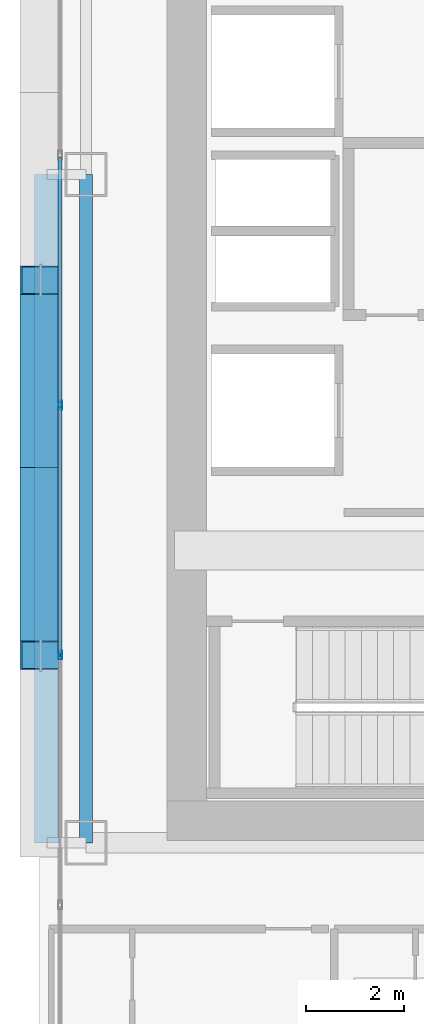
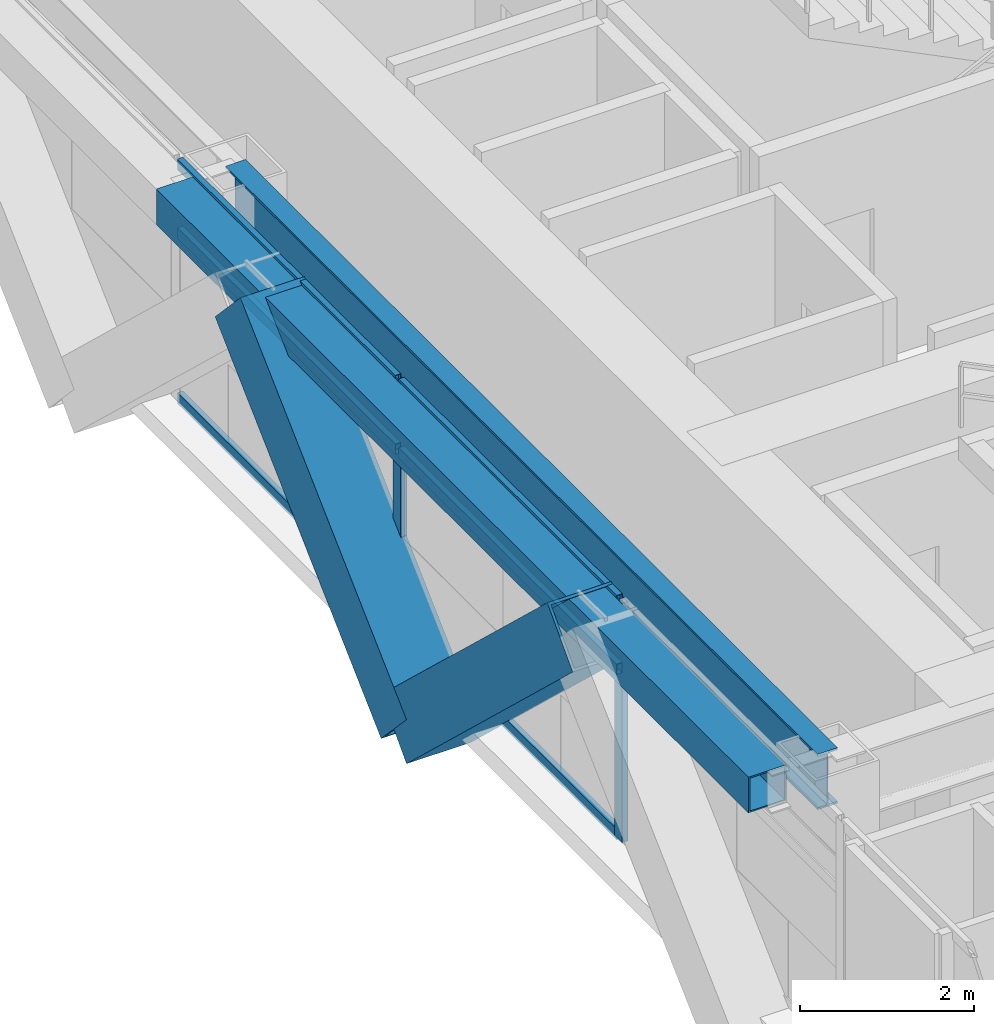
# One storey, part 6 of 36: 10 members, 2 beams, 1 element without a shape of its own.
"""IFC4 building model written with IfcOpenShell, lengths in metres."""

from ifc_helpers import new_model, si_unit, direction, frame, origin, origin_2d, place, context, subcontext, project, spatial, hollow_rectangle, i_section, extrude, source, transform, mapped, material, layer, layer_set, material_profile, profile_set, type_object, element, aggregate, save


model = new_model("IFC4")

# Units and contexts
model_context = context("Model", 3, precision=1e-05, world=origin(), true_north=direction((0.0, 1.0)))
body_context = subcontext(model_context, "Body", "Model", "MODEL_VIEW")
ifc_project = project(units=[si_unit("LENGTHUNIT", "METRE"), si_unit("AREAUNIT", "SQUARE_METRE"), si_unit("VOLUMEUNIT", "CUBIC_METRE"), si_unit("PLANEANGLEUNIT", "RADIAN"), si_unit("MASSUNIT", "GRAM", prefix="KILO")], contexts=[model_context])

# Site, building, storey
site_placement = place(None, origin())
site = spatial("IfcSite", under=ifc_project, at=site_placement, CompositionType="ELEMENT")
building_placement = place(site_placement, origin())
building = spatial("IfcBuilding", under=site, at=building_placement, Name="Ocotamira Hotel", CompositionType="ELEMENT")
storey_placement = place(building_placement, frame((0.0, 0.0, 42.0)))
storey = spatial("IfcBuildingStorey", under=building, at=storey_placement, Name="L09", CompositionType="ELEMENT", Elevation=42.0)

# Beams
ifc_material_1 = material(Name="Steel ASTM A992 Grade 50", Category="steel")
ifc_material_profile_1 = material_profile(ifc_material_1, i_section(OverallWidth=0.26611328125, OverallDepth=0.779052734375, WebThickness=0.0166015625, FlangeThickness=0.030029296875, FilletRadius=0.01806640625, at=origin_2d()), Name="W30X148")
ifc_profile_set_1 = profile_set([ifc_material_profile_1], Name="Steel ASTM A992 Grade 50")
beam_type_1 = type_object("IfcBeamType", Name="BM-GIRD-W30X148", PredefinedType="BEAM", material=ifc_profile_set_1)
shared_shape_1 = source(origin(), body_context, "Body", "SweptSolid", [
    extrude(i_section(OverallWidth=0.26611328125, OverallDepth=0.779052734375, WebThickness=0.0166015625, FlangeThickness=0.030029296875, FilletRadius=0.01806640625, at=origin_2d()), origin(), (0.0, 0.0, 1.0), 13.599853515625),
])
beam_1_placement = place(storey_placement, frame((8.949951171875, 14.550048828125, 2.96044921875), z_axis=(0.0, 1.0, 0.0), x_axis=(-1.0, 0.0, 0.0)))
element("IfcBeam", 1, at=beam_1_placement, inside=storey, type_object=beam_type_1, Name="L09 Beam X8.95 Y14.55-28.15", PredefinedType="BEAM", context=body_context, shape_type="MappedRepresentation", body=[
    mapped(shared_shape_1, transform((0.0, 0.0, 0.0), scale=1.0)),
])
ifc_material_2 = material(Name="Steel ASTM A500 Grade C", Category="steel")
ifc_material_profile_2 = material_profile(ifc_material_2, hollow_rectangle(XDim=0.5, YDim=0.5, WallThickness=0.02001953125, at=origin_2d()), Name="HSS500X500X20")
ifc_profile_set_2 = profile_set([ifc_material_profile_2], Name="Steel ASTM A500 Grade C")
beam_type_2 = type_object("IfcBeamType", Name="BM-SPAN-HSS500", PredefinedType="USERDEFINED", material=ifc_profile_set_2)
shared_shape_2 = source(origin(), body_context, "Body", "SweptSolid", [
    extrude(hollow_rectangle(XDim=0.5, YDim=0.5, WallThickness=0.02001953125, at=origin_2d()), origin(), (0.0, 0.0, 1.0), 13.599853515625),
])
beam_2_placement = place(storey_placement, frame((8.14990234375, 14.550048828125, 3.10009765625), z_axis=(0.0, 1.0, 0.0), x_axis=(-1.0, 0.0, 0.0)))
element("IfcBeam", 2, at=beam_2_placement, inside=storey, type_object=beam_type_2, Name="L09 Edge Spandrel W Y14.55-28.15", ObjectType="SPANDREL", PredefinedType="USERDEFINED", context=body_context, shape_type="MappedRepresentation", body=[
    mapped(shared_shape_2, transform((0.0, 0.0, 0.0), scale=1.0)),
])

# Members
ifc_material_3 = material(Name="Pale-metal coated steel ASTM A913 Grade 65", Category="steel")
ifc_material_profile_3 = material_profile(ifc_material_3, hollow_rectangle(XDim=0.85009765625, YDim=0.85009765625, WallThickness=0.035888671875, at=origin_2d()), Name="BOX850X850X36")
ifc_profile_set_3 = profile_set([ifc_material_profile_3], Name="Pale-metal coated steel ASTM A913 Grade 65")
member_type_1 = type_object("IfcMemberType", Name="MEM-EXO-BOX850", PredefinedType="BRACE", material=ifc_profile_set_3)
shared_shape_3 = source(origin(), body_context, "Body", "SweptSolid", [
    extrude(hollow_rectangle(XDim=0.85009765625, YDim=0.85009765625, WallThickness=0.035888671875, at=origin_2d()), origin(), (0.0, 0.0, 1.0), 5.24658203125),
])
for number, where, z_axis, x_axis, name in (
    (3, (8.030029296875, 22.183349609375, -0.5), (0.0, -0.727442733726, 0.686168397078), (1.0, 0.0, 0.0), "L09 Exoskeleton Diagrid W0.2"),
    (4, (8.030029296875, 22.183349609375, -0.5), (0.0, 0.727442733726, 0.686168397078), (-1.0, 0.0, 0.0), "L09 Exoskeleton Diagrid W1.1"),
):
    element("IfcMember", number, at=place(storey_placement, frame(where, z_axis=z_axis, x_axis=x_axis)), inside=storey, type_object=member_type_1, Name=name, PredefinedType="BRACE", context=body_context, shape_type="MappedRepresentation", body=[
        mapped(shared_shape_3, transform((0.0, 0.0, 0.0), scale=1.0)),
    ])

# Curtain wall, members
ifc_material_4 = material(Name="Anodised pale-metal aluminium and solar glass", Category="aluminium")
ifc_layer = layer(ifc_material_4, 0.179931640625)
ifc_layer_set = layer_set([ifc_layer], Name="Anodised pale-metal aluminium and solar glass")
curtain_wall_type = type_object("IfcCurtainWallType", Name="CW-SYS2-Z1", PredefinedType="NOTDEFINED", material=ifc_layer_set)
curtain_wall_placement = place(storey_placement, origin())
curtain_wall = element("IfcCurtainWall", 5, at=curtain_wall_placement, inside=storey, type_object=curtain_wall_type, Name="L09 Curtain Wall CW-2 CW-L09-W", PredefinedType="NOTDEFINED")
ifc_material_5 = material(Name="Anodised pale-metal aluminium 6063-T6", Category="aluminium")
ifc_material_profile_4 = material_profile(ifc_material_5, hollow_rectangle(XDim=0.074951171875, YDim=0.14990234375, WallThickness=0.006103515625, at=origin_2d()), Name="HSS150X75X6")
ifc_profile_set_4 = profile_set([ifc_material_profile_4], Name="Anodised pale-metal aluminium 6063-T6")
member_type_2 = type_object("IfcMemberType", Name="CWT-150X75", PredefinedType="USERDEFINED", material=ifc_profile_set_4)
shared_shape_4 = source(origin(), body_context, "Body", "SweptSolid", [
    extrude(hollow_rectangle(XDim=0.074951171875, YDim=0.14990234375, WallThickness=0.006103515625, at=origin_2d()), origin(), (0.0, 0.0, 1.0), 5.005859375),
])
member_1_placement = place(storey_placement, frame((8.419921875, 18.411376953125, 0.03759765625), z_axis=(0.0, 1.0, 0.0), x_axis=(-1.0, 0.0, 0.0)))
member_1 = element("IfcMember", 6, at=member_1_placement, type_object=member_type_2, Name="CW-2 transom 3.1", ObjectType="TRANSOM", PredefinedType="USERDEFINED", context=body_context, shape_type="MappedRepresentation", body=[
    mapped(shared_shape_4, transform((0.0, 0.0, 0.0), scale=1.0)),
])
member_2_placement = place(storey_placement, frame((8.419921875, 18.411376953125, 2.35009765625), z_axis=(0.0, 1.0, 0.0), x_axis=(-1.0, 0.0, 0.0)))
member_2 = element("IfcMember", 7, at=member_2_placement, type_object=member_type_2, Name="CW-2 transom 3.2", ObjectType="TRANSOM", PredefinedType="USERDEFINED", context=body_context, shape_type="MappedRepresentation", body=[
    mapped(shared_shape_4, transform((0.0, 0.0, 0.0), scale=1.0)),
])
member_3_placement = place(storey_placement, frame((8.419921875, 18.411376953125, 3.3125), z_axis=(0.0, 1.0, 0.0), x_axis=(-1.0, 0.0, 0.0)))
member_3 = element("IfcMember", 8, at=member_3_placement, type_object=member_type_2, Name="CW-2 transom 3.3", ObjectType="TRANSOM", PredefinedType="USERDEFINED", context=body_context, shape_type="MappedRepresentation", body=[
    mapped(shared_shape_4, transform((0.0, 0.0, 0.0), scale=1.0)),
])
member_4_placement = place(storey_placement, frame((8.419921875, 23.4970703125, 0.03759765625), z_axis=(0.0, 1.0, 0.0), x_axis=(-1.0, 0.0, 0.0)))
member_4 = element("IfcMember", 9, at=member_4_placement, type_object=member_type_2, Name="CW-2 transom 4.1", ObjectType="TRANSOM", PredefinedType="USERDEFINED", context=body_context, shape_type="MappedRepresentation", body=[
    mapped(shared_shape_4, transform((0.0, 0.0, 0.0), scale=1.0)),
])
member_5_placement = place(storey_placement, frame((8.419921875, 23.4970703125, 2.35009765625), z_axis=(0.0, 1.0, 0.0), x_axis=(-1.0, 0.0, 0.0)))
member_5 = element("IfcMember", 10, at=member_5_placement, type_object=member_type_2, Name="CW-2 transom 4.2", ObjectType="TRANSOM", PredefinedType="USERDEFINED", context=body_context, shape_type="MappedRepresentation", body=[
    mapped(shared_shape_4, transform((0.0, 0.0, 0.0), scale=1.0)),
])
member_6_placement = place(storey_placement, frame((8.419921875, 23.4970703125, 3.3125), z_axis=(0.0, 1.0, 0.0), x_axis=(-1.0, 0.0, 0.0)))
member_6 = element("IfcMember", 11, at=member_6_placement, type_object=member_type_2, Name="CW-2 transom 4.3", ObjectType="TRANSOM", PredefinedType="USERDEFINED", context=body_context, shape_type="MappedRepresentation", body=[
    mapped(shared_shape_4, transform((0.0, 0.0, 0.0), scale=1.0)),
])
ifc_material_profile_5 = material_profile(ifc_material_5, hollow_rectangle(XDim=0.080078125, YDim=0.179931640625, WallThickness=0.006103515625, at=origin_2d()), Name="HSS180X80X6")
ifc_profile_set_5 = profile_set([ifc_material_profile_5], Name="Anodised pale-metal aluminium 6063-T6")
member_type_3 = type_object("IfcMemberType", Name="CWM-180X75", PredefinedType="MULLION", material=ifc_profile_set_5)
shared_shape_5 = source(origin(), body_context, "Body", "SweptSolid", [
    extrude(hollow_rectangle(XDim=0.080078125, YDim=0.179931640625, WallThickness=0.006103515625, at=origin_2d()), origin(), (0.0, 0.0, 1.0), 3.35009765625),
])
member_7_placement = place(storey_placement, frame((8.419921875, 18.371337890625, 0.0), z_axis=(0.0, 0.0, 1.0), x_axis=(-1.0, 0.0, 0.0)))
member_7 = element("IfcMember", 12, at=member_7_placement, type_object=member_type_3, Name="CW-2 mullion 3", PredefinedType="MULLION", context=body_context, shape_type="MappedRepresentation", body=[
    mapped(shared_shape_5, transform((0.0, 0.0, 0.0), scale=1.0)),
])
member_8_placement = place(storey_placement, frame((8.419921875, 23.45703125, 0.0), z_axis=(0.0, 0.0, 1.0), x_axis=(-1.0, 0.0, 0.0)))
member_8 = element("IfcMember", 13, at=member_8_placement, type_object=member_type_3, Name="CW-2 mullion 4", PredefinedType="MULLION", context=body_context, shape_type="MappedRepresentation", body=[
    mapped(shared_shape_5, transform((0.0, 0.0, 0.0), scale=1.0)),
])
aggregate(curtain_wall, [member_7, member_8, member_1, member_2, member_3, member_4, member_5, member_6])

save(model, "model.ifc")
